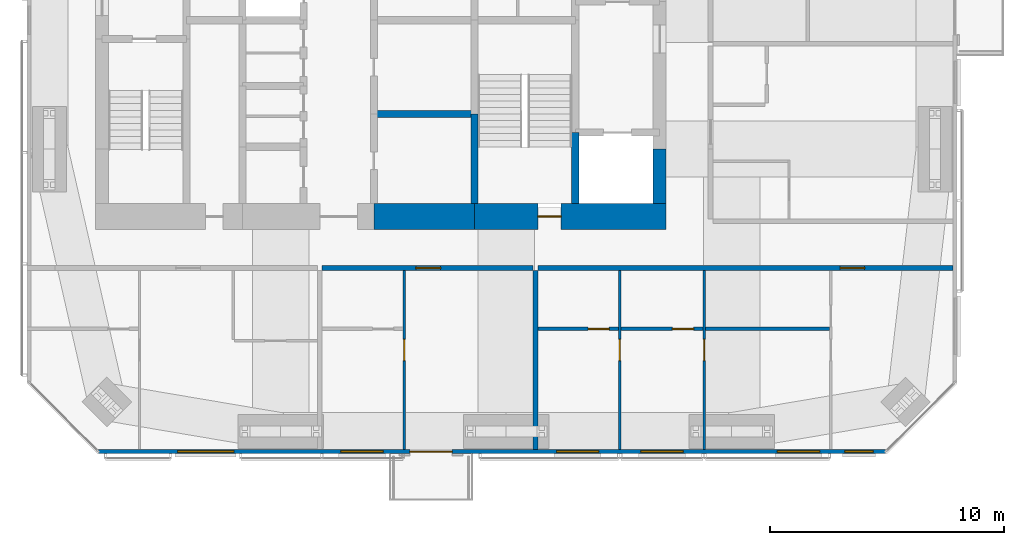
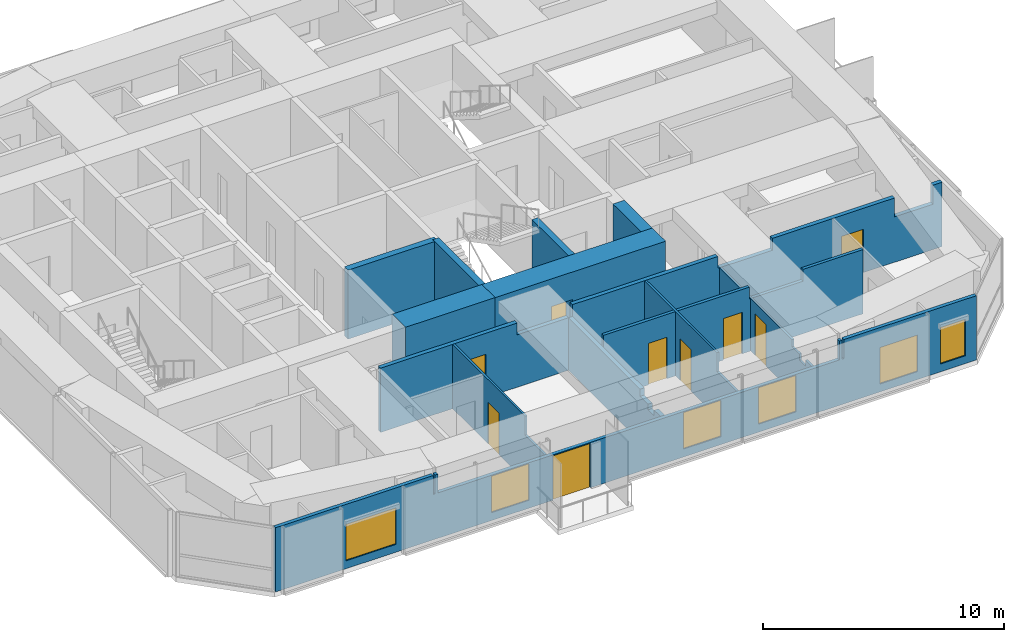
# One storey, part 13 of 18: 16 walls, 9 doors, 6 windows, 15 openings.
"""IFC4 building model written with IfcOpenShell, lengths in metres."""

import ifcopenshell
import ifcopenshell.guid

model = None  # the IFC model being written
_history = None  # IfcOwnerHistory: only IFC2X3 demands one
_inside = {}  # id of a spatial element -> (the spatial element, [elements in it])
_under = {}  # id of a project, library or spatial element -> (it, [spatial elements below it])
_declared = {}  # id of a project -> (the project, [libraries it declares])
_typed = {}  # id of a type object -> (the type object, [elements of that type])
_made_of = {}  # id of a material, layer set ... -> (it, [elements and type objects made of it])


def new_model(schema):
    """Start an empty IFC model of exactly this schema.

    Asked for "IFC4X3", IfcOpenShell would pick the latest addendum, in which some entities
    have other attributes; the version numbers below select the first issue.
    IFC2X3 requires an IfcOwnerHistory on every rooted entity: one is made here for all.
    """
    global model, _history
    if schema == "IFC4X3":
        model = ifcopenshell.file(schema_version=(4, 3, 0, 0))
    else:
        model = ifcopenshell.file(schema=schema)
    _inside.clear()
    _under.clear()
    _declared.clear()
    _typed.clear()
    _made_of.clear()
    _history = None
    if model.schema == "IFC2X3":
        org = make("IfcOrganization", Name="unknown")
        user = make(
            "IfcPersonAndOrganization",
            ThePerson=make("IfcPerson", FamilyName="unknown"),
            TheOrganization=org,
        )
        app = make(
            "IfcApplication",
            ApplicationDeveloper=org,
            Version="unknown",
            ApplicationFullName="unknown",
            ApplicationIdentifier="unknown",
        )
        _history = make(
            "IfcOwnerHistory",
            OwningUser=user,
            OwningApplication=app,
            ChangeAction="ADDED",
            CreationDate=0,
        )
    return model


def make(cls, **values):
    """One entity of the class cls with the attributes given. An attribute that is None is left unset."""
    return model.create_entity(
        cls, **{name: value for name, value in values.items() if value is not None}
    )


def rooted(cls, **values):
    """An entity with a GlobalId (a new one), such as an element, a storey or a relation."""
    return make(cls, GlobalId=ifcopenshell.guid.new(), OwnerHistory=_history, **values)


def si_unit(unit_type, name, prefix=None):
    """IfcSIUnit, for example si_unit("LENGTHUNIT", "METRE", prefix="MILLI")."""
    return make("IfcSIUnit", UnitType=unit_type, Prefix=prefix, Name=name)


def assignment(units):
    """IfcUnitAssignment: the units of a project."""
    return None if units is None else make("IfcUnitAssignment", Units=units)


def point(xyz):
    """IfcCartesianPoint."""
    return None if xyz is None else make("IfcCartesianPoint", Coordinates=xyz)


def direction(xyz):
    """IfcDirection."""
    return None if xyz is None else make("IfcDirection", DirectionRatios=xyz)


def frame(location, z_axis=None, x_axis=None):
    """IfcAxis2Placement3D, a coordinate frame: its origin and axes. An axis left out is left unset."""
    return make(
        "IfcAxis2Placement3D",
        Location=point(location),
        Axis=direction(z_axis),
        RefDirection=direction(x_axis),
    )


def frame_2d(location, x_axis=None):
    """IfcAxis2Placement2D, a coordinate frame in the plane: its origin and x axis."""
    return make(
        "IfcAxis2Placement2D", Location=point(location), RefDirection=direction(x_axis)
    )


def origin():
    """The frame at (0, 0, 0) with its axes left unset."""
    return frame((0.0, 0.0, 0.0))


def place(relative_to, where):
    """IfcLocalPlacement: puts the frame where relative to a parent placement (None: the world)."""
    return make(
        "IfcLocalPlacement", PlacementRelTo=relative_to, RelativePlacement=where
    )


def context(
    kind, dimensions, precision=None, world=None, true_north=None, identifier=None
):
    """IfcGeometricRepresentationContext, for example the 3D "Model" context."""
    return make(
        "IfcGeometricRepresentationContext",
        ContextIdentifier=identifier,
        ContextType=kind,
        CoordinateSpaceDimension=dimensions,
        Precision=precision,
        WorldCoordinateSystem=world,
        TrueNorth=true_north,
    )


def subcontext(parent, identifier, kind, view, scale=None):
    """IfcGeometricRepresentationSubContext, for example "Body" below "Model"."""
    return make(
        "IfcGeometricRepresentationSubContext",
        ContextIdentifier=identifier,
        ContextType=kind,
        ParentContext=parent,
        TargetScale=scale,
        TargetView=view,
    )


def project(units=None, contexts=None):
    """IfcProject with its units and contexts."""
    return rooted(
        "IfcProject",
        Name="project",
        RepresentationContexts=contexts,
        UnitsInContext=assignment(units),
    )


def spatial(cls, under=None, at=None, **own):
    """A site, building, storey or space (cls), placed at a placement, below another one or the project."""
    s = rooted(cls, ObjectPlacement=at, **own)
    if under is not None:
        _under.setdefault(under.id(), (under, []))[1].append(s)
    return s


def polyline(points):
    """IfcPolyline through the points."""
    return make("IfcPolyline", Points=[point(p) for p in points])


def profile(cls, at=None, kind="AREA", **sizes):
    """A parametric profile (cls). Its sizes go by their IFC names, for example OverallWidth=200.0."""
    return make(cls, ProfileType=kind, Position=at, **sizes)


def rectangle(**sizes):
    """IfcRectangleProfileDef."""
    return profile("IfcRectangleProfileDef", **sizes)


def outline(outer, holes=None, kind="AREA"):
    """IfcArbitraryClosedProfileDef: a profile drawn as a closed curve; with holes, ...WithVoids."""
    if holes is None:
        return make("IfcArbitraryClosedProfileDef", ProfileType=kind, OuterCurve=outer)
    return make(
        "IfcArbitraryProfileDefWithVoids",
        ProfileType=kind,
        OuterCurve=outer,
        InnerCurves=holes,
    )


def extrude(swept, where, along, depth):
    """IfcExtrudedAreaSolid: the profile swept, set in the frame where, extruded along a direction by depth."""
    return make(
        "IfcExtrudedAreaSolid",
        SweptArea=swept,
        Position=where,
        ExtrudedDirection=direction(along),
        Depth=depth,
    )


def shape(context_of_items, identifier, shape_type, items):
    """IfcShapeRepresentation: the items that make up one representation, for example the "Body"."""
    return make(
        "IfcShapeRepresentation",
        ContextOfItems=context_of_items,
        RepresentationIdentifier=identifier,
        RepresentationType=shape_type,
        Items=items,
    )


def material(Name=None, Category=None):
    """IfcMaterial."""
    return make("IfcMaterial", Name=Name, Category=Category)


def layer(
    of_material, thickness, ventilated=None, Name=None, Category=None, Priority=None
):
    """IfcMaterialLayer: one layer of a wall or slab, of a material (None: an air gap)."""
    return make(
        "IfcMaterialLayer",
        Material=of_material,
        LayerThickness=thickness,
        IsVentilated=ventilated,
        Name=Name,
        Category=Category,
        Priority=Priority,
    )


def layer_set(layers, Name=None):
    """IfcMaterialLayerSet."""
    return make("IfcMaterialLayerSet", MaterialLayers=layers, LayerSetName=Name)


def constituent(of_material, Name=None, Category=None, fraction=None):
    """IfcMaterialConstituent: one of the materials an element consists of."""
    return make(
        "IfcMaterialConstituent",
        Name=Name,
        Material=of_material,
        Fraction=fraction,
        Category=Category,
    )


def constituent_set(constituents=None, Name=None):
    """IfcMaterialConstituentSet."""
    return make(
        "IfcMaterialConstituentSet", Name=Name, MaterialConstituents=constituents
    )


def made_of(thing, what):
    """Note that an element or type object is made of a material, layer set ...; save() writes the relation."""
    if what is not None:
        _made_of.setdefault(what.id(), (what, []))[1].append(thing)
    return thing


def type_object(cls, material=None, **own):
    """A type object (cls), such as IfcWallType, which elements share."""
    return made_of(rooted(cls, **own), material)


def element(
    cls,
    number,
    at=None,
    inside=None,
    cuts=None,
    type_object=None,
    material=None,
    context=None,
    identifier="Body",
    shape_type=None,
    held_by="IfcProductDefinitionShape",
    body=None,
    shapes=None,
    **own,
):
    """One element of the class cls, such as IfcWall. Its Tag is "e" and its number.

    at: its placement. inside: the storey or other place that contains it. cuts: it is an
    opening in that element (IfcRelVoidsElement). A single representation is given by context,
    identifier, shape_type and body (its items); several are given by shapes. held_by: the class
    of the entity that holds the representations. save() writes the other relations.
    """
    e = rooted(cls, Tag="e%d" % number, ObjectPlacement=at, **own)
    if body is not None:
        shapes = [shape(context, identifier, shape_type, body)]
    if shapes is not None:
        e.Representation = make(held_by, Representations=shapes)
    if inside is not None:
        _inside.setdefault(inside.id(), (inside, []))[1].append(e)
    if cuts is not None:
        rooted(
            "IfcRelVoidsElement", RelatingBuildingElement=cuts, RelatedOpeningElement=e
        )
    if type_object is not None:
        _typed.setdefault(type_object.id(), (type_object, []))[1].append(e)
    return made_of(e, material)


def fill(opening, filler):
    """IfcRelFillsElement: the door or window that sits in an opening."""
    return rooted(
        "IfcRelFillsElement",
        RelatingOpeningElement=opening,
        RelatedBuildingElement=filler,
    )


def aggregate(whole, parts):
    """IfcRelAggregates: a whole, such as a stair, and the parts it consists of."""
    return rooted("IfcRelAggregates", RelatingObject=whole, RelatedObjects=parts)


def save(model, path):
    """Write the relations noted so far, then the file.

    IfcRelAggregates (storeys below a building ...), IfcRelContainedInSpatialStructure (elements
    in a storey), IfcRelDefinesByType, IfcRelAssociatesMaterial and IfcRelDeclares: one each for
    every whole, place, type object, material and project.
    """
    for whole, parts in _under.values():
        aggregate(whole, parts)
    for where, things in _inside.values():
        rooted(
            "IfcRelContainedInSpatialStructure",
            RelatedElements=things,
            RelatingStructure=where,
        )
    for kind, things in _typed.values():
        rooted("IfcRelDefinesByType", RelatedObjects=things, RelatingType=kind)
    for what, things in _made_of.values():
        rooted("IfcRelAssociatesMaterial", RelatedObjects=things, RelatingMaterial=what)
    for by, libraries in _declared.values():
        rooted("IfcRelDeclares", RelatingContext=by, RelatedDefinitions=libraries)
    model.write(path)


model = new_model("IFC4")

# Units and contexts
model_context = context("Model", 3, precision=1e-05, world=origin(), true_north=direction((0.0, 1.0)))
body_context = subcontext(model_context, "Body", "Model", "MODEL_VIEW")
ifc_project = project(units=[si_unit("LENGTHUNIT", "METRE"), si_unit("AREAUNIT", "SQUARE_METRE"), si_unit("VOLUMEUNIT", "CUBIC_METRE"), si_unit("PLANEANGLEUNIT", "RADIAN"), si_unit("MASSUNIT", "GRAM", prefix="KILO")], contexts=[model_context])

# Site, building, storey
site_placement = place(None, origin())
site = spatial("IfcSite", under=ifc_project, at=site_placement, CompositionType="ELEMENT")
building_placement = place(site_placement, origin())
building = spatial("IfcBuilding", under=site, at=building_placement, Name="Jalousie Tower", CompositionType="ELEMENT")
storey_placement = place(building_placement, frame((0.0, 0.0, 235.449951171875)))
storey = spatial("IfcBuildingStorey", under=building, at=storey_placement, Name="L64", CompositionType="ELEMENT", Elevation=235.449951171875)

# Wall, opening, door
ifc_material_1 = material(Name="Concrete block ASTM C90", Category="concrete")
ifc_constituent_1 = constituent(ifc_material_1, Name="Body")
ifc_material_2 = material(Name="Render")
ifc_constituent_2 = constituent(ifc_material_2, Name="Finish")
ifc_constituent_set_1 = constituent_set(constituents=[ifc_constituent_1, ifc_constituent_2])
wall_type_1 = type_object("IfcWallType", Name="BATHROOM WALL 150", PredefinedType="PLUMBINGWALL", material=ifc_constituent_set_1)
wall_1_placement = place(storey_placement, frame((38.60009765625, 5.324951171875, 0.0), z_axis=(0.0, 0.0, 1.0), x_axis=(1.0, 0.0, 0.0)))
wall_1 = element("IfcWall", 1, at=wall_1_placement, inside=storey, type_object=wall_type_1, Name="Bathroom Wall 150 L64", PredefinedType="PLUMBINGWALL", context=body_context, shape_type="SweptSolid", body=[
    extrude(rectangle(XDim=3.449951171875, YDim=0.14990234375, at=frame_2d((1.72509765625, 0.0))), origin(), (0.0, 0.0, 1.0), 3.260009765625),
])
opening_1_placement = place(wall_1_placement, frame((2.14990234375, 0.0, 0.0)))
opening_1 = element("IfcOpeningElement", 2, at=opening_1_placement, cuts=wall_1, Name="Opening D3", PredefinedType="OPENING", context=body_context, shape_type="SweptSolid", body=[
    extrude(rectangle(XDim=0.89990234375, YDim=2.10009765625, at=frame_2d((0.449951171875, 1.050048828125))), frame((0.0, 0.0849609375, 0.0), z_axis=(0.0, -1.0, 0.0), x_axis=(1.0, 0.0, 0.0)), (0.0, 0.0, 1.0), 0.169921875),
])
ifc_material_3 = material(Name="Timber door", Category="wood")
door_type_1 = type_object("IfcDoorType", Name="BATHROOM DOOR 900", OperationType="SINGLE_SWING_LEFT", PredefinedType="DOOR", material=ifc_material_3)
door_1_placement = place(opening_1_placement, origin())
door_1 = element("IfcDoor", 3, at=door_1_placement, inside=storey, type_object=door_type_1, Name="Apartment 6403 bedroom 1 bathroom door", OperationType="SINGLE_SWING_RIGHT", OverallHeight=2.10009765625, OverallWidth=0.89990234375, PredefinedType="DOOR", context=body_context, shape_type="SweptSolid", body=[
    extrude(rectangle(XDim=0.89990234375, YDim=2.10009765625, at=frame_2d((0.449951171875, 1.050048828125))), frame((0.0, 0.02490234375, 0.0), z_axis=(0.0, -1.0, 0.0), x_axis=(1.0, 0.0, 0.0)), (0.0, 0.0, 1.0), 0.050048828125),
])
fill(opening_1, door_1)

wall_2_placement = place(storey_placement, frame((42.14990234375, 5.324951171875, 0.0), z_axis=(0.0, 0.0, 1.0), x_axis=(1.0, 0.0, 0.0)))
wall_2 = element("IfcWall", 4, at=wall_2_placement, inside=storey, type_object=wall_type_1, Name="Bathroom Wall 150 L64", PredefinedType="PLUMBINGWALL", context=body_context, shape_type="SweptSolid", body=[
    extrude(outline(polyline([(0.0, 0.0), (3.5, 0.0), (3.5, 3.260009765625), (3.5, 2.66015625), (3.43994140625, 2.66015625), (3.43994140625, 3.260009765625), (0.0, 3.260009765625), (0.0, 0.0)])), frame((0.0, 0.074951171875, 0.0), z_axis=(0.0, -1.0, 0.0), x_axis=(1.0, 0.0, 0.0)), (0.0, 0.0, 1.0), 0.14990234375),
])
opening_2_placement = place(wall_2_placement, frame((2.199951171875, 0.0, 0.0)))
opening_2 = element("IfcOpeningElement", 5, at=opening_2_placement, cuts=wall_2, Name="Opening D3", PredefinedType="OPENING", context=body_context, shape_type="SweptSolid", body=[
    extrude(rectangle(XDim=0.89990234375, YDim=2.10009765625, at=frame_2d((0.449951171875, 1.050048828125))), frame((0.0, 0.0849609375, 0.0), z_axis=(0.0, -1.0, 0.0), x_axis=(1.0, 0.0, 0.0)), (0.0, 0.0, 1.0), 0.169921875),
])
door_2_placement = place(opening_2_placement, origin())
door_2 = element("IfcDoor", 6, at=door_2_placement, inside=storey, type_object=door_type_1, Name="Apartment 6403 bedroom 2 bathroom door", OperationType="SINGLE_SWING_RIGHT", OverallHeight=2.10009765625, OverallWidth=0.89990234375, PredefinedType="DOOR", context=body_context, shape_type="SweptSolid", body=[
    extrude(rectangle(XDim=0.89990234375, YDim=2.10009765625, at=frame_2d((0.449951171875, 1.050048828125))), frame((0.0, 0.02490234375, 0.0), z_axis=(0.0, -1.0, 0.0), x_axis=(1.0, 0.0, 0.0)), (0.0, 0.0, 1.0), 0.050048828125),
])
fill(opening_2, door_2)

# Walls
wall_3_placement = place(storey_placement, frame((45.75, 5.324951171875, 0.0), z_axis=(0.0, 0.0, 1.0), x_axis=(1.0, 0.0, 0.0)))
element("IfcWall", 7, at=wall_3_placement, inside=storey, type_object=wall_type_1, Name="Bathroom Wall 150 L64", PredefinedType="PLUMBINGWALL", context=body_context, shape_type="SweptSolid", body=[
    extrude(outline(polyline([(0.0, 0.0), (5.300048828125, 0.0), (5.300048828125, 3.260009765625), (2.409912109375, 3.260009765625), (2.409912109375, 2.66015625), (0.0, 2.66015625), (0.0, 3.260009765625), (0.0, 0.0)])), frame((0.0, 0.074951171875, 0.0), z_axis=(0.0, -1.0, 0.0), x_axis=(1.0, 0.0, 0.0)), (0.0, 0.0, 1.0), 0.14990234375),
])
ifc_material_4 = material(Name="Concrete f'c 120 MPa", Category="concrete")
ifc_layer_1 = layer(ifc_material_4, 1.10009765625)
ifc_layer_set_1 = layer_set([ifc_layer_1], Name="Concrete f'c 120 MPa")
wall_type_2 = type_object("IfcWallType", Name="CORE WALL 1100", PredefinedType="SHEAR", material=ifc_layer_set_1)
wall_4_placement = place(storey_placement, frame((31.60009765625, 10.125, 0.0), z_axis=(0.0, 0.0, 1.0), x_axis=(1.0, 0.0, 0.0)))
element("IfcWall", 8, at=wall_4_placement, inside=storey, type_object=wall_type_2, Name="Core wall SC L64", PredefinedType="SHEAR", context=body_context, shape_type="SweptSolid", body=[
    extrude(rectangle(XDim=4.2998046875, YDim=1.10009765625, at=frame_2d((2.14990234375, 0.0))), origin(), (0.0, 0.0, 1.0), 3.5),
])

# Wall, opening, door
wall_5_placement = place(storey_placement, frame((35.89990234375, 10.125, 0.0), z_axis=(0.0, 0.0, 1.0), x_axis=(1.0, 0.0, 0.0)))
wall_5 = element("IfcWall", 9, at=wall_5_placement, inside=storey, type_object=wall_type_2, Name="Core wall SD L64", PredefinedType="SHEAR", context=body_context, shape_type="SweptSolid", body=[
    extrude(rectangle(XDim=8.175048828125, YDim=1.10009765625, at=frame_2d((4.08740234375, 0.0))), origin(), (0.0, 0.0, 1.0), 3.5),
])
opening_3_placement = place(wall_5_placement, frame((2.699951171875, 0.0, 0.0)))
opening_3 = element("IfcOpeningElement", 10, at=opening_3_placement, cuts=wall_5, Name="Opening D10", PredefinedType="OPENING", context=body_context, shape_type="SweptSolid", body=[
    extrude(rectangle(XDim=1.0, YDim=2.10009765625, at=frame_2d((0.5, 1.050048828125))), frame((0.0, 0.56005859375, 0.0), z_axis=(0.0, -1.0, 0.0), x_axis=(1.0, 0.0, 0.0)), (0.0, 0.0, 1.0), 1.1201171875),
])
ifc_material_5 = material(Name="Steel fire door", Category="steel")
door_type_2 = type_object("IfcDoorType", Name="STAIR DOOR 1000", OperationType="SINGLE_SWING_LEFT", PredefinedType="DOOR", material=ifc_material_5)
door_3_placement = place(opening_3_placement, origin())
door_3 = element("IfcDoor", 11, at=door_3_placement, inside=storey, type_object=door_type_2, Name="Exit stair C door", OperationType="SINGLE_SWING_RIGHT", OverallHeight=2.10009765625, OverallWidth=1.0, PredefinedType="DOOR", context=body_context, shape_type="SweptSolid", body=[
    extrude(rectangle(XDim=1.0, YDim=2.10009765625, at=frame_2d((0.5, 1.050048828125))), frame((0.0, 0.02490234375, 0.0), z_axis=(0.0, -1.0, 0.0), x_axis=(1.0, 0.0, 0.0)), (0.0, 0.0, 1.0), 0.050048828125),
])
fill(opening_3, door_3)

# Walls
ifc_material_6 = material(Name="Concrete f'c 120 MPa", Category="concrete")
ifc_layer_2 = layer(ifc_material_6, 0.300048828125)
ifc_layer_set_2 = layer_set([ifc_layer_2], Name="Concrete f'c 120 MPa")
wall_type_3 = type_object("IfcWallType", Name="CORE WALL 300", PredefinedType="SHEAR", material=ifc_layer_set_2)
wall_6_placement = place(storey_placement, frame((35.89990234375, 10.675048828125, 0.0), z_axis=(0.0, 0.0, 1.0), x_axis=(0.0, 1.0, 0.0)))
element("IfcWall", 12, at=wall_6_placement, inside=storey, type_object=wall_type_3, Name="Core wall X35.9A L64", PredefinedType="SHEAR", context=body_context, shape_type="SweptSolid", body=[
    extrude(rectangle(XDim=3.824951171875, YDim=0.300048828125, at=frame_2d((1.91259765625, 0.0))), origin(), (0.0, 0.0, 1.0), 3.5),
])
wall_7_placement = place(storey_placement, frame((40.199951171875, 10.675048828125, 0.0), z_axis=(0.0, 0.0, 1.0), x_axis=(0.0, 1.0, 0.0)))
element("IfcWall", 13, at=wall_7_placement, inside=storey, type_object=wall_type_3, Name="Core wall X40.2A L64", PredefinedType="SHEAR", context=body_context, shape_type="SweptSolid", body=[
    extrude(rectangle(XDim=3.02490234375, YDim=0.300048828125, at=frame_2d((1.512451171875, 0.0))), origin(), (0.0, 0.0, 1.0), 3.5),
])
wall_8_placement = place(storey_placement, frame((31.60009765625, 14.5, 0.0), z_axis=(0.0, 0.0, 1.0), x_axis=(1.0, 0.0, 0.0)))
element("IfcWall", 14, at=wall_8_placement, inside=storey, type_object=wall_type_3, Name="Core wall Y31.6-14.5 L64", PredefinedType="SHEAR", context=body_context, shape_type="SweptSolid", body=[
    extrude(rectangle(XDim=4.2998046875, YDim=0.300048828125, at=frame_2d((2.14990234375, 0.0))), origin(), (0.0, 0.0, 1.0), 3.5),
])
ifc_material_7 = material(Name="Concrete f'c 120 MPa", Category="concrete")
ifc_layer_3 = layer(ifc_material_7, 0.550048828125)
ifc_layer_set_3 = layer_set([ifc_layer_3], Name="Concrete f'c 120 MPa")
wall_type_4 = type_object("IfcWallType", Name="CORE WALL 550", PredefinedType="SHEAR", material=ifc_layer_set_3)
wall_9_placement = place(storey_placement, frame((43.800048828125, 10.675048828125, 0.0), z_axis=(0.0, 0.0, 1.0), x_axis=(0.0, 1.0, 0.0)))
element("IfcWall", 15, at=wall_9_placement, inside=storey, type_object=wall_type_4, Name="Core wall EA L64", PredefinedType="SHEAR", context=body_context, shape_type="SweptSolid", body=[
    extrude(rectangle(XDim=2.324951171875, YDim=0.550048828125, at=frame_2d((1.16259765625, 0.0))), origin(), (0.0, 0.0, 1.0), 3.5),
])

# Wall, opening, door
ifc_material_8 = material(Name="Concrete block ASTM C90", Category="concrete")
ifc_constituent_3 = constituent(ifc_material_8, Name="Body")
ifc_material_9 = material(Name="Render")
ifc_constituent_4 = constituent(ifc_material_9, Name="Finish")
ifc_constituent_set_2 = constituent_set(constituents=[ifc_constituent_3, ifc_constituent_4])
wall_type_5 = type_object("IfcWallType", Name="CORRIDOR WALL 200", PredefinedType="PARTITIONING", material=ifc_constituent_set_2)
wall_10_placement = place(storey_placement, frame((29.39990234375, 7.925048828125, 0.0), z_axis=(0.0, 0.0, 1.0), x_axis=(1.0, 0.0, 0.0)))
wall_10 = element("IfcWall", 16, at=wall_10_placement, inside=storey, type_object=wall_type_5, Name="Corridor Wall 200 L64", PredefinedType="PARTITIONING", context=body_context, shape_type="SweptSolid", body=[
    extrude(outline(polyline([(0.0, 0.0), (9.0, 0.0), (9.0, 3.260009765625), (9.0, 2.66015625), (6.5400390625, 2.66015625), (6.5400390625, 3.260009765625), (0.0, 3.260009765625), (0.0, 0.0)])), frame((0.0, 0.10009765625, 0.0), z_axis=(0.0, -1.0, 0.0), x_axis=(1.0, 0.0, 0.0)), (0.0, 0.0, 1.0), 0.199951171875),
])
opening_4_placement = place(wall_10_placement, frame((4.0, 0.0, 0.0)))
opening_4 = element("IfcOpeningElement", 17, at=opening_4_placement, cuts=wall_10, Name="Opening D1", PredefinedType="OPENING", context=body_context, shape_type="SweptSolid", body=[
    extrude(rectangle(XDim=1.050048828125, YDim=2.199951171875, at=frame_2d((0.52490234375, 1.10009765625))), frame((0.0, 0.10986328125, 0.0), z_axis=(0.0, -1.0, 0.0), x_axis=(1.0, 0.0, 0.0)), (0.0, 0.0, 1.0), 0.219970703125),
])
ifc_material_10 = material(Name="Timber fire door", Category="wood")
door_type_3 = type_object("IfcDoorType", Name="APARTMENT ENTRANCE DOOR 1050", OperationType="SINGLE_SWING_LEFT", PredefinedType="DOOR", material=ifc_material_10)
door_4_placement = place(opening_4_placement, frame((1.050048828125, 0.0, 0.0), z_axis=(0.0, 0.0, 1.0), x_axis=(-1.0, 0.0, 0.0)))
door_4 = element("IfcDoor", 18, at=door_4_placement, inside=storey, type_object=door_type_3, Name="Apartment 6402 entrance", OperationType="SINGLE_SWING_RIGHT", OverallHeight=2.199951171875, OverallWidth=1.050048828125, PredefinedType="DOOR", context=body_context, shape_type="SweptSolid", body=[
    extrude(rectangle(XDim=1.050048828125, YDim=2.199951171875, at=frame_2d((0.52490234375, 1.10009765625))), frame((0.0, 0.02490234375, 0.0), z_axis=(0.0, -1.0, 0.0), x_axis=(1.0, 0.0, 0.0)), (0.0, 0.0, 1.0), 0.050048828125),
])
fill(opening_4, door_4)

wall_11_placement = place(storey_placement, frame((38.60009765625, 7.925048828125, 0.0), z_axis=(0.0, 0.0, 1.0), x_axis=(1.0, 0.0, 0.0)))
wall_11 = element("IfcWall", 19, at=wall_11_placement, inside=storey, type_object=wall_type_5, Name="Corridor Wall 200 L64", PredefinedType="PARTITIONING", context=body_context, shape_type="SweptSolid", body=[
    extrude(outline(polyline([(0.0, 0.0), (17.724853515625, 0.0), (17.72509765625, 3.260009765625), (17.27490234375, 3.260009765625), (17.27490234375, 2.300048828125), (15.442626953125, 2.300048828125), (15.442626953125, 3.260009765625), (9.5849609375, 3.260009765625), (9.5849609375, 2.66015625), (6.965087890625, 2.66015625), (6.965087890625, 3.260009765625), (0.0, 3.260009765625), (0.0, 0.0)])), frame((0.0, 0.10009765625, 0.0), z_axis=(0.0, -1.0, 0.0), x_axis=(1.0, 0.0, 0.0)), (0.0, 0.0, 1.0), 0.199951171875),
])
opening_5_placement = place(wall_11_placement, frame((12.89990234375, 0.0, 0.0)))
opening_5 = element("IfcOpeningElement", 20, at=opening_5_placement, cuts=wall_11, Name="Opening D1", PredefinedType="OPENING", context=body_context, shape_type="SweptSolid", body=[
    extrude(rectangle(XDim=1.050048828125, YDim=2.199951171875, at=frame_2d((0.52490234375, 1.10009765625))), frame((0.0, 0.10986328125, 0.0), z_axis=(0.0, -1.0, 0.0), x_axis=(1.0, 0.0, 0.0)), (0.0, 0.0, 1.0), 0.219970703125),
])
door_5_placement = place(opening_5_placement, frame((1.050048828125, 0.0, 0.0), z_axis=(0.0, 0.0, 1.0), x_axis=(-1.0, 0.0, 0.0)))
door_5 = element("IfcDoor", 21, at=door_5_placement, inside=storey, type_object=door_type_3, Name="Apartment 6403 entrance", OperationType="SINGLE_SWING_RIGHT", OverallHeight=2.199951171875, OverallWidth=1.050048828125, PredefinedType="DOOR", context=body_context, shape_type="SweptSolid", body=[
    extrude(rectangle(XDim=1.050048828125, YDim=2.199951171875, at=frame_2d((0.52490234375, 1.10009765625))), frame((0.0, 0.02490234375, 0.0), z_axis=(0.0, -1.0, 0.0), x_axis=(1.0, 0.0, 0.0)), (0.0, 0.0, 1.0), 0.050048828125),
])
fill(opening_5, door_5)

# Wall, openings, door, windows
ifc_material_11 = material(Name="Concrete f'c 40 MPa", Category="concrete")
ifc_constituent_5 = constituent(ifc_material_11, Name="Body")
ifc_material_12 = material(Name="Render, pastel sky blue")
ifc_constituent_6 = constituent(ifc_material_12, Name="Finish")
ifc_constituent_set_3 = constituent_set(constituents=[ifc_constituent_5, ifc_constituent_6])
wall_type_6 = type_object("IfcWallType", Name="EXTERNAL WALL 175 SKY BLUE RENDER", PredefinedType="SOLIDWALL", material=ifc_constituent_set_3)
wall_12_placement = place(storey_placement, frame((19.851318359375, 0.08740234375, 0.0), z_axis=(0.0, 0.0, 1.0), x_axis=(1.0, 0.0, 0.0)))
wall_12 = element("IfcWall", 22, at=wall_12_placement, inside=storey, type_object=wall_type_6, Name="External Wall 175 Sky Blue Render L64", PredefinedType="SOLIDWALL", context=body_context, shape_type="SweptSolid", body=[
    extrude(outline(polyline([(0.0, 0.0), (33.597412109375, 0.0), (33.597412109375, 3.260009765625), (27.238525390625, 3.260009765625), (27.238525390625, 2.300048828125), (27.155029296875, 2.300048828125), (27.155029296875, 3.260009765625), (27.023681640625, 3.260009765625), (27.023681640625, 2.300048828125), (7.773681640625, 2.300048828125), (7.773681640625, 3.260009765625), (7.642333984375, 3.260009765625), (7.642333984375, 2.300048828125), (7.558837890625, 2.300048828125), (7.558837890625, 3.260009765625), (0.0, 3.260009765625), (0.0, 0.0)])), frame((0.0, 0.08740234375, 0.0), z_axis=(0.0, -1.0, 0.0), x_axis=(1.0, 0.0, 0.0)), (0.0, 0.0, 1.0), 0.175048828125),
])
opening_6_placement = place(wall_12_placement, frame((3.37255859375, 0.0, 0.39990234375)))
opening_6 = element("IfcOpeningElement", 23, at=opening_6_placement, cuts=wall_12, Name="Opening W-LIV185", PredefinedType="OPENING", context=body_context, shape_type="SweptSolid", body=[
    extrude(rectangle(XDim=2.39990234375, YDim=1.85009765625, at=frame_2d((1.199951171875, 0.925048828125))), frame((0.0, 0.097412109375, 0.0), z_axis=(0.0, -1.0, 0.0), x_axis=(1.0, 0.0, 0.0)), (0.0, 0.0, 1.0), 0.195068359375),
])
opening_7_placement = place(wall_12_placement, frame((10.3486328125, 0.0, 0.39990234375)))
opening_7 = element("IfcOpeningElement", 24, at=opening_7_placement, cuts=wall_12, Name="Opening W-BED185", PredefinedType="OPENING", context=body_context, shape_type="SweptSolid", body=[
    extrude(rectangle(XDim=1.800048828125, YDim=1.85009765625, at=frame_2d((0.89990234375, 0.925048828125))), frame((0.0, 0.097412109375, 0.0), z_axis=(0.0, -1.0, 0.0), x_axis=(1.0, 0.0, 0.0)), (0.0, 0.0, 1.0), 0.195068359375),
])
opening_8_placement = place(wall_12_placement, frame((13.288818359375, 0.0, 0.0)))
opening_8 = element("IfcOpeningElement", 25, at=opening_8_placement, cuts=wall_12, Name="Opening D-BAL22", PredefinedType="OPENING", context=body_context, shape_type="SweptSolid", body=[
    extrude(rectangle(XDim=1.800048828125, YDim=2.25, at=frame_2d((0.89990234375, 1.125))), frame((0.0, 0.097412109375, 0.0), z_axis=(0.0, -1.0, 0.0), x_axis=(1.0, 0.0, 0.0)), (0.0, 0.0, 1.0), 0.195068359375),
])
opening_9_placement = place(wall_12_placement, frame((19.548583984375, 0.0, 0.39990234375)))
opening_9 = element("IfcOpeningElement", 26, at=opening_9_placement, cuts=wall_12, Name="Opening W-BED185", PredefinedType="OPENING", context=body_context, shape_type="SweptSolid", body=[
    extrude(rectangle(XDim=1.800048828125, YDim=1.85009765625, at=frame_2d((0.89990234375, 0.925048828125))), frame((0.0, 0.097412109375, 0.0), z_axis=(0.0, -1.0, 0.0), x_axis=(1.0, 0.0, 0.0)), (0.0, 0.0, 1.0), 0.195068359375),
])
opening_10_placement = place(wall_12_placement, frame((23.148681640625, 0.0, 0.39990234375)))
opening_10 = element("IfcOpeningElement", 27, at=opening_10_placement, cuts=wall_12, Name="Opening W-BED185", PredefinedType="OPENING", context=body_context, shape_type="SweptSolid", body=[
    extrude(rectangle(XDim=1.800048828125, YDim=1.85009765625, at=frame_2d((0.89990234375, 0.925048828125))), frame((0.0, 0.097412109375, 0.0), z_axis=(0.0, -1.0, 0.0), x_axis=(1.0, 0.0, 0.0)), (0.0, 0.0, 1.0), 0.195068359375),
])
opening_11_placement = place(wall_12_placement, frame((28.978759765625, 0.0, 0.39990234375)))
opening_11 = element("IfcOpeningElement", 28, at=opening_11_placement, cuts=wall_12, Name="Opening W-BED185", PredefinedType="OPENING", context=body_context, shape_type="SweptSolid", body=[
    extrude(rectangle(XDim=1.800048828125, YDim=1.85009765625, at=frame_2d((0.89990234375, 0.925048828125))), frame((0.0, 0.097412109375, 0.0), z_axis=(0.0, -1.0, 0.0), x_axis=(1.0, 0.0, 0.0)), (0.0, 0.0, 1.0), 0.195068359375),
])
opening_12_placement = place(wall_12_placement, frame((31.861328125, 0.0, 0.39990234375)))
opening_12 = element("IfcOpeningElement", 29, at=opening_12_placement, cuts=wall_12, Name="Opening W-COR185", PredefinedType="OPENING", context=body_context, shape_type="SweptSolid", body=[
    extrude(rectangle(XDim=1.199951171875, YDim=1.85009765625, at=frame_2d((0.60009765625, 0.925048828125))), frame((0.0, 0.097412109375, 0.0), z_axis=(0.0, -1.0, 0.0), x_axis=(1.0, 0.0, 0.0)), (0.0, 0.0, 1.0), 0.195068359375),
])
ifc_material_13 = material(Name="Aluminium frame, impact-rated glazing", Category="aluminium")
door_type_4 = type_object("IfcDoorType", Name="BALCONY DOOR 1800x2250", OperationType="SLIDING_TO_LEFT", PredefinedType="DOOR", material=ifc_material_13)
door_6_placement = place(opening_8_placement, origin())
door_6 = element("IfcDoor", 30, at=door_6_placement, inside=storey, type_object=door_type_4, Name="Apartment 6402 living, dining and kitchen balcony door", OperationType="SLIDING_TO_LEFT", OverallHeight=2.25, OverallWidth=1.800048828125, PredefinedType="DOOR", context=body_context, shape_type="SweptSolid", body=[
    extrude(rectangle(XDim=1.800048828125, YDim=2.25, at=frame_2d((0.89990234375, 1.125))), frame((0.0, 0.02490234375, 0.0), z_axis=(0.0, -1.0, 0.0), x_axis=(1.0, 0.0, 0.0)), (0.0, 0.0, 1.0), 0.050048828125),
])
fill(opening_8, door_6)
ifc_material_14 = material(Name="Aluminium frame, impact-rated glazing", Category="aluminium")
window_type_1 = type_object("IfcWindowType", Name="WINDOW BED 1800x1850", PartitioningType="SINGLE_PANEL", PredefinedType="WINDOW", material=ifc_material_14)
window_1_placement = place(opening_7_placement, origin())
window_1 = element("IfcWindow", 31, at=window_1_placement, inside=storey, type_object=window_type_1, Name="Apartment 6402 bedroom 1 window", OverallHeight=1.85009765625, OverallWidth=1.800048828125, PartitioningType="SINGLE_PANEL", PredefinedType="WINDOW", context=body_context, shape_type="SweptSolid", body=[
    extrude(rectangle(XDim=1.800048828125, YDim=1.85009765625, at=frame_2d((0.89990234375, 0.925048828125))), frame((0.0, 0.030029296875, 0.0), z_axis=(0.0, -1.0, 0.0), x_axis=(1.0, 0.0, 0.0)), (0.0, 0.0, 1.0), 0.06005859375),
])
fill(opening_7, window_1)
window_2_placement = place(opening_9_placement, origin())
window_2 = element("IfcWindow", 32, at=window_2_placement, inside=storey, type_object=window_type_1, Name="Apartment 6403 bedroom 1 window", OverallHeight=1.85009765625, OverallWidth=1.800048828125, PartitioningType="SINGLE_PANEL", PredefinedType="WINDOW", context=body_context, shape_type="SweptSolid", body=[
    extrude(rectangle(XDim=1.800048828125, YDim=1.85009765625, at=frame_2d((0.89990234375, 0.925048828125))), frame((0.0, 0.030029296875, 0.0), z_axis=(0.0, -1.0, 0.0), x_axis=(1.0, 0.0, 0.0)), (0.0, 0.0, 1.0), 0.06005859375),
])
fill(opening_9, window_2)
window_3_placement = place(opening_10_placement, origin())
window_3 = element("IfcWindow", 33, at=window_3_placement, inside=storey, type_object=window_type_1, Name="Apartment 6403 bedroom 2 window", OverallHeight=1.85009765625, OverallWidth=1.800048828125, PartitioningType="SINGLE_PANEL", PredefinedType="WINDOW", context=body_context, shape_type="SweptSolid", body=[
    extrude(rectangle(XDim=1.800048828125, YDim=1.85009765625, at=frame_2d((0.89990234375, 0.925048828125))), frame((0.0, 0.030029296875, 0.0), z_axis=(0.0, -1.0, 0.0), x_axis=(1.0, 0.0, 0.0)), (0.0, 0.0, 1.0), 0.06005859375),
])
fill(opening_10, window_3)
window_4_placement = place(opening_11_placement, origin())
window_4 = element("IfcWindow", 34, at=window_4_placement, inside=storey, type_object=window_type_1, Name="Apartment 6403 bedroom 3 window", OverallHeight=1.85009765625, OverallWidth=1.800048828125, PartitioningType="SINGLE_PANEL", PredefinedType="WINDOW", context=body_context, shape_type="SweptSolid", body=[
    extrude(rectangle(XDim=1.800048828125, YDim=1.85009765625, at=frame_2d((0.89990234375, 0.925048828125))), frame((0.0, 0.030029296875, 0.0), z_axis=(0.0, -1.0, 0.0), x_axis=(1.0, 0.0, 0.0)), (0.0, 0.0, 1.0), 0.06005859375),
])
fill(opening_11, window_4)
ifc_material_15 = material(Name="Aluminium frame, impact-rated glazing", Category="aluminium")
window_type_2 = type_object("IfcWindowType", Name="WINDOW COR 1200x1850", PartitioningType="SINGLE_PANEL", PredefinedType="WINDOW", material=ifc_material_15)
window_5_placement = place(opening_12_placement, origin())
window_5 = element("IfcWindow", 35, at=window_5_placement, inside=storey, type_object=window_type_2, Name="Apartment 6403 living, dining and kitchen window", OverallHeight=1.85009765625, OverallWidth=1.199951171875, PartitioningType="SINGLE_PANEL", PredefinedType="WINDOW", context=body_context, shape_type="SweptSolid", body=[
    extrude(rectangle(XDim=1.199951171875, YDim=1.85009765625, at=frame_2d((0.60009765625, 0.925048828125))), frame((0.0, 0.030029296875, 0.0), z_axis=(0.0, -1.0, 0.0), x_axis=(1.0, 0.0, 0.0)), (0.0, 0.0, 1.0), 0.06005859375),
])
fill(opening_12, window_5)
ifc_material_16 = material(Name="Aluminium frame, impact-rated glazing", Category="aluminium")
window_type_3 = type_object("IfcWindowType", Name="WINDOW LIV 2400x1850", PartitioningType="DOUBLE_PANEL_VERTICAL", PredefinedType="WINDOW", material=ifc_material_16)
window_6_placement = place(opening_6_placement, origin())
window_6 = element("IfcWindow", 36, at=window_6_placement, inside=storey, type_object=window_type_3, Name="Apartment 6401 living and dining room window", OverallHeight=1.85009765625, OverallWidth=2.39990234375, PartitioningType="SINGLE_PANEL", PredefinedType="WINDOW", context=body_context, shape_type="SweptSolid", body=[
    extrude(rectangle(XDim=2.39990234375, YDim=1.85009765625, at=frame_2d((1.199951171875, 0.925048828125))), frame((0.0, 0.030029296875, 0.0), z_axis=(0.0, -1.0, 0.0), x_axis=(1.0, 0.0, 0.0)), (0.0, 0.0, 1.0), 0.06005859375),
])
fill(opening_6, window_6)

# Wall, opening, door
ifc_material_17 = material(Name="Gypsum board", Category="gypsum")
ifc_constituent_7 = constituent(ifc_material_17, Name="Body")
ifc_material_18 = material(Name="Light-gauge steel studs ASTM A653 SS Grade 33", Category="steel")
ifc_constituent_8 = constituent(ifc_material_18, Name="Framing")
ifc_constituent_set_4 = constituent_set(constituents=[ifc_constituent_7, ifc_constituent_8])
wall_type_7 = type_object("IfcWallType", Name="PARTITION 100", PredefinedType="PARTITIONING", material=ifc_constituent_set_4)
wall_13_placement = place(storey_placement, frame((32.89990234375, 0.175048828125, 0.0), z_axis=(0.0, 0.0, 1.0), x_axis=(0.0, 1.0, 0.0)))
wall_13 = element("IfcWall", 37, at=wall_13_placement, inside=storey, type_object=wall_type_7, Name="Partition 100 L64", PredefinedType="PARTITIONING", context=body_context, shape_type="SweptSolid", body=[
    extrude(outline(polyline([(0.0, 0.0), (7.64990234375, 0.0), (7.64990234375, 3.260009765625), (1.635009765625, 3.260009765625), (1.635009765625, 2.300048828125), (0.0, 2.300048828125), (0.0, 3.260009765625), (0.0, 0.0)])), frame((0.0, 0.050048828125, 0.0), z_axis=(0.0, -1.0, 0.0), x_axis=(1.0, 0.0, 0.0)), (0.0, 0.0, 1.0), 0.10009765625),
])
opening_13_placement = place(wall_13_placement, frame((3.800048828125, 0.0, 0.0)))
opening_13 = element("IfcOpeningElement", 38, at=opening_13_placement, cuts=wall_13, Name="Opening D2", PredefinedType="OPENING", context=body_context, shape_type="SweptSolid", body=[
    extrude(rectangle(XDim=0.89990234375, YDim=2.10009765625, at=frame_2d((0.449951171875, 1.050048828125))), frame((0.0, 0.06005859375, 0.0), z_axis=(0.0, -1.0, 0.0), x_axis=(1.0, 0.0, 0.0)), (0.0, 0.0, 1.0), 0.1201171875),
])
ifc_material_19 = material(Name="Timber door", Category="wood")
door_type_5 = type_object("IfcDoorType", Name="BEDROOM DOOR 900", OperationType="SINGLE_SWING_LEFT", PredefinedType="DOOR", material=ifc_material_19)
door_7_placement = place(opening_13_placement, origin())
door_7 = element("IfcDoor", 39, at=door_7_placement, inside=storey, type_object=door_type_5, Name="Apartment 6402 bedroom 1 door", OperationType="SINGLE_SWING_RIGHT", OverallHeight=2.10009765625, OverallWidth=0.89990234375, PredefinedType="DOOR", context=body_context, shape_type="SweptSolid", body=[
    extrude(rectangle(XDim=0.89990234375, YDim=2.10009765625, at=frame_2d((0.449951171875, 1.050048828125))), frame((0.0, 0.02490234375, 0.0), z_axis=(0.0, -1.0, 0.0), x_axis=(1.0, 0.0, 0.0)), (0.0, 0.0, 1.0), 0.050048828125),
])
fill(opening_13, door_7)

wall_14_placement = place(storey_placement, frame((42.10009765625, 0.175048828125, 0.0), z_axis=(0.0, 0.0, 1.0), x_axis=(0.0, 1.0, 0.0)))
wall_14 = element("IfcWall", 40, at=wall_14_placement, inside=storey, type_object=wall_type_7, Name="Partition 100 L64", PredefinedType="PARTITIONING", context=body_context, shape_type="SweptSolid", body=[
    extrude(outline(polyline([(0.0, 0.0), (7.64990234375, 0.0), (7.64990234375, 3.260009765625), (1.635009765625, 3.260009765625), (1.635009765625, 2.300048828125), (0.0, 2.300048828125), (0.0, 3.260009765625), (0.0, 0.0)])), frame((0.0, 0.050048828125, 0.0), z_axis=(0.0, -1.0, 0.0), x_axis=(1.0, 0.0, 0.0)), (0.0, 0.0, 1.0), 0.10009765625),
])
opening_14_placement = place(wall_14_placement, frame((3.800048828125, 0.0, 0.0)))
opening_14 = element("IfcOpeningElement", 41, at=opening_14_placement, cuts=wall_14, Name="Opening D2", PredefinedType="OPENING", context=body_context, shape_type="SweptSolid", body=[
    extrude(rectangle(XDim=0.89990234375, YDim=2.10009765625, at=frame_2d((0.449951171875, 1.050048828125))), frame((0.0, 0.06005859375, 0.0), z_axis=(0.0, -1.0, 0.0), x_axis=(1.0, 0.0, 0.0)), (0.0, 0.0, 1.0), 0.1201171875),
])
door_8_placement = place(opening_14_placement, origin())
door_8 = element("IfcDoor", 42, at=door_8_placement, inside=storey, type_object=door_type_5, Name="Apartment 6403 bedroom 1 door", OperationType="SINGLE_SWING_RIGHT", OverallHeight=2.10009765625, OverallWidth=0.89990234375, PredefinedType="DOOR", context=body_context, shape_type="SweptSolid", body=[
    extrude(rectangle(XDim=0.89990234375, YDim=2.10009765625, at=frame_2d((0.449951171875, 1.050048828125))), frame((0.0, 0.02490234375, 0.0), z_axis=(0.0, -1.0, 0.0), x_axis=(1.0, 0.0, 0.0)), (0.0, 0.0, 1.0), 0.050048828125),
])
fill(opening_14, door_8)

wall_15_placement = place(storey_placement, frame((45.699951171875, 0.175048828125, 0.0), z_axis=(0.0, 0.0, 1.0), x_axis=(0.0, 1.0, 0.0)))
wall_15 = element("IfcWall", 43, at=wall_15_placement, inside=storey, type_object=wall_type_7, Name="Partition 100 L64", PredefinedType="PARTITIONING", context=body_context, shape_type="SweptSolid", body=[
    extrude(outline(polyline([(0.52880859375, 2.300048828125), (0.0, 2.300048828125), (0.0, 0.0), (0.52880859375, 0.0), (0.52880859375, 0.309814453125), (1.021240234375, 0.309814453125), (1.021240234375, 0.0), (7.64990234375, 0.0), (7.64990234375, 2.66015625), (1.635009765625, 2.66015625), (1.635009765625, 2.300048828125), (1.021240234375, 2.300048828125), (1.021240234375, 1.990234375), (0.52880859375, 1.990234375), (0.52880859375, 2.300048828125)])), frame((0.0, 0.050048828125, 0.0), z_axis=(0.0, -1.0, 0.0), x_axis=(1.0, 0.0, 0.0)), (0.0, 0.0, 1.0), 0.10009765625),
])
opening_15_placement = place(wall_15_placement, frame((3.800048828125, 0.0, 0.0)))
opening_15 = element("IfcOpeningElement", 44, at=opening_15_placement, cuts=wall_15, Name="Opening D2", PredefinedType="OPENING", context=body_context, shape_type="SweptSolid", body=[
    extrude(rectangle(XDim=0.89990234375, YDim=2.10009765625, at=frame_2d((0.449951171875, 1.050048828125))), frame((0.0, 0.06005859375, 0.0), z_axis=(0.0, -1.0, 0.0), x_axis=(1.0, 0.0, 0.0)), (0.0, 0.0, 1.0), 0.1201171875),
])
door_9_placement = place(opening_15_placement, frame((0.89990234375, 0.0, 0.0), z_axis=(0.0, 0.0, 1.0), x_axis=(-1.0, 0.0, 0.0)))
door_9 = element("IfcDoor", 45, at=door_9_placement, inside=storey, type_object=door_type_5, Name="Apartment 6403 bedroom 2 door", OperationType="SINGLE_SWING_LEFT", OverallHeight=2.10009765625, OverallWidth=0.89990234375, PredefinedType="DOOR", context=body_context, shape_type="SweptSolid", body=[
    extrude(rectangle(XDim=0.89990234375, YDim=2.10009765625, at=frame_2d((0.449951171875, 1.050048828125))), frame((0.0, 0.02490234375, 0.0), z_axis=(0.0, -1.0, 0.0), x_axis=(1.0, 0.0, 0.0)), (0.0, 0.0, 1.0), 0.050048828125),
])
fill(opening_15, door_9)

# Wall
ifc_material_20 = material(Name="Concrete block ASTM C90", Category="concrete")
ifc_constituent_9 = constituent(ifc_material_20, Name="Body")
ifc_material_21 = material(Name="Render")
ifc_constituent_10 = constituent(ifc_material_21, Name="Finish")
ifc_constituent_set_5 = constituent_set(constituents=[ifc_constituent_9, ifc_constituent_10])
wall_type_8 = type_object("IfcWallType", Name="PARTY WALL 200", PredefinedType="PARTITIONING", material=ifc_constituent_set_5)
wall_16_placement = place(storey_placement, frame((38.5, 0.175048828125, 0.0), z_axis=(0.0, 0.0, 1.0), x_axis=(0.0, 1.0, 0.0)))
element("IfcWall", 46, at=wall_16_placement, inside=storey, type_object=wall_type_8, Name="Party Wall 200 L64", PredefinedType="PARTITIONING", context=body_context, shape_type="SweptSolid", body=[
    extrude(outline(polyline([(0.52880859375, 2.300048828125), (0.0, 2.300048828125), (0.0, 0.0), (0.52880859375, 0.0), (0.52880859375, 0.28125), (1.021240234375, 0.28125), (1.021240234375, 0.0), (7.64990234375, 0.0), (7.64990234375, 2.66015625), (1.68505859375, 2.66015625), (1.68505859375, 2.300048828125), (1.021240234375, 2.300048828125), (1.021240234375, 2.01904296875), (0.52880859375, 2.01904296875), (0.52880859375, 2.300048828125)])), frame((0.0, 0.10009765625, 0.0), z_axis=(0.0, -1.0, 0.0), x_axis=(1.0, 0.0, 0.0)), (0.0, 0.0, 1.0), 0.199951171875),
])

save(model, "model.ifc")
